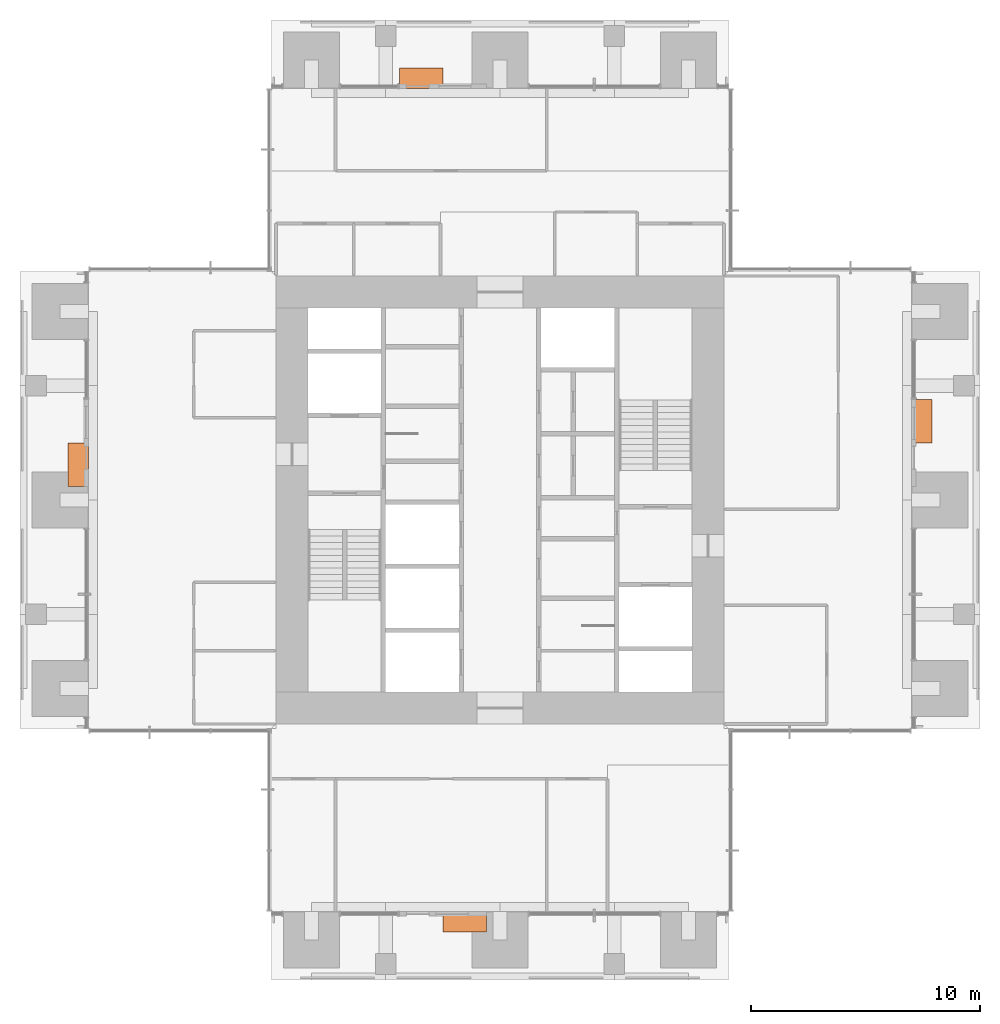
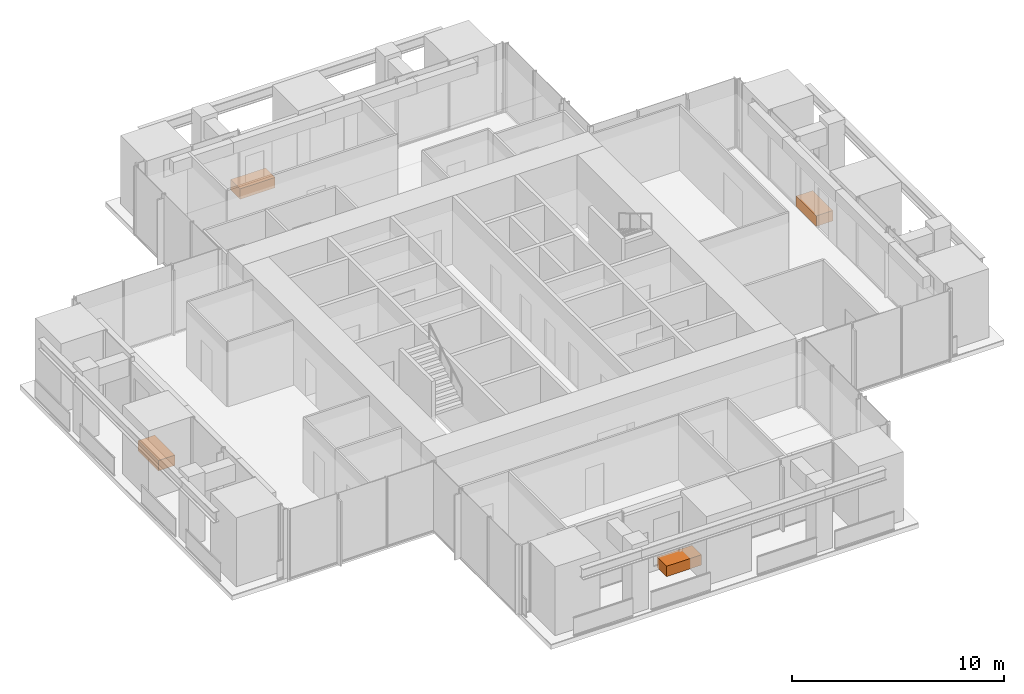
# One storey, part 17 of 17: 4 proxies.
"""IFC4 building model written with IfcOpenShell, lengths in metres."""

from ifc_helpers import new_model, si_unit, direction, frame, origin, origin_2d, place, context, subcontext, project, spatial, rectangle, extrude, element, save


model = new_model("IFC4")

# Units and contexts
model_context = context("Model", 3, precision=1e-05, world=origin(), true_north=direction((0.0, 1.0)))
body_context = subcontext(model_context, "Body", "Model", "MODEL_VIEW")
ifc_project = project(units=[si_unit("LENGTHUNIT", "METRE"), si_unit("AREAUNIT", "SQUARE_METRE"), si_unit("VOLUMEUNIT", "CUBIC_METRE"), si_unit("PLANEANGLEUNIT", "RADIAN"), si_unit("MASSUNIT", "GRAM", prefix="KILO")], contexts=[model_context])

# Site, building, storey
site_placement = place(None, origin())
site = spatial("IfcSite", under=ifc_project, at=site_placement, CompositionType="ELEMENT")
building_placement = place(site_placement, origin())
building = spatial("IfcBuilding", under=site, at=building_placement, Name="Svetlomir Tower", CompositionType="ELEMENT")
storey_placement = place(building_placement, frame((0.0, 0.0, 222.5)))
storey = spatial("IfcBuildingStorey", under=building, at=storey_placement, Name="L53", CompositionType="ELEMENT", Elevation=222.5)

# Proxies
proxy_1_placement = place(storey_placement, frame((19.449951171875, 2.550048828125, 0.0400390625), z_axis=(0.0, 0.0, 1.0), x_axis=(1.0, 0.0, 0.0)))
element("IfcBuildingElementProxy", 1, at=proxy_1_placement, inside=storey, Name="Tree planter S L53", ObjectType="PLANTER", PredefinedType="USERDEFINED", context=body_context, shape_type="SweptSolid", body=[
    extrude(rectangle(XDim=1.89990234375, YDim=0.89990234375, at=origin_2d()), origin(), (0.0, 0.0, 1.0), 0.60009765625),
])
proxy_2_placement = place(storey_placement, frame((39.449951171875, 24.449951171875, 0.0400390625), z_axis=(0.0, 0.0, 1.0), x_axis=(1.0, 0.0, 0.0)))
element("IfcBuildingElementProxy", 2, at=proxy_2_placement, inside=storey, Name="Tree planter E L53", ObjectType="PLANTER", PredefinedType="USERDEFINED", context=body_context, shape_type="SweptSolid", body=[
    extrude(rectangle(XDim=0.89990234375, YDim=1.89990234375, at=origin_2d()), origin(), (0.0, 0.0, 1.0), 0.60009765625),
])
proxy_3_placement = place(storey_placement, frame((17.550048828125, 39.449951171875, 0.0400390625), z_axis=(0.0, 0.0, 1.0), x_axis=(1.0, 0.0, 0.0)))
element("IfcBuildingElementProxy", 3, at=proxy_3_placement, inside=storey, Name="Tree planter N L53", ObjectType="PLANTER", PredefinedType="USERDEFINED", context=body_context, shape_type="SweptSolid", body=[
    extrude(rectangle(XDim=1.89990234375, YDim=0.89990234375, at=origin_2d()), origin(), (0.0, 0.0, 1.0), 0.60009765625),
])
proxy_4_placement = place(storey_placement, frame((2.550048828125, 22.550048828125, 0.0400390625), z_axis=(0.0, 0.0, 1.0), x_axis=(1.0, 0.0, 0.0)))
element("IfcBuildingElementProxy", 4, at=proxy_4_placement, inside=storey, Name="Tree planter W L53", ObjectType="PLANTER", PredefinedType="USERDEFINED", context=body_context, shape_type="SweptSolid", body=[
    extrude(rectangle(XDim=0.89990234375, YDim=1.89990234375, at=origin_2d()), origin(), (0.0, 0.0, 1.0), 0.60009765625),
])

save(model, "model.ifc")
